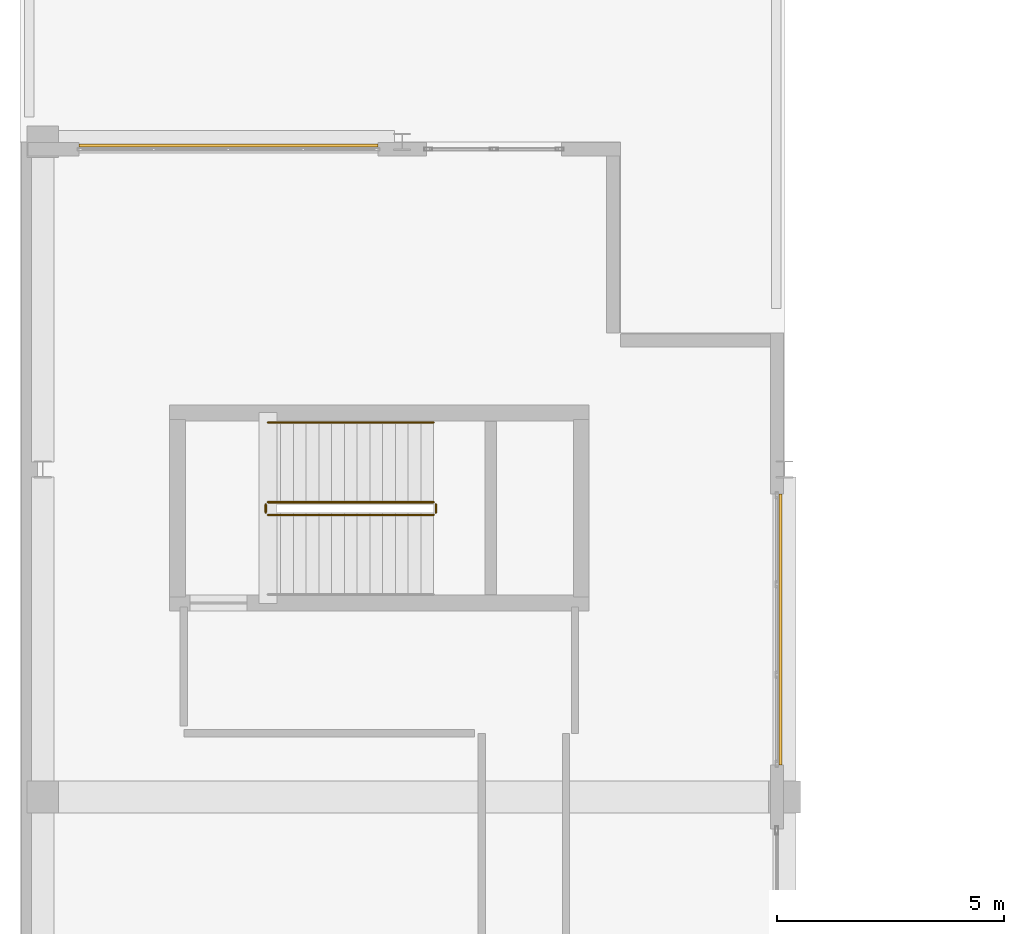
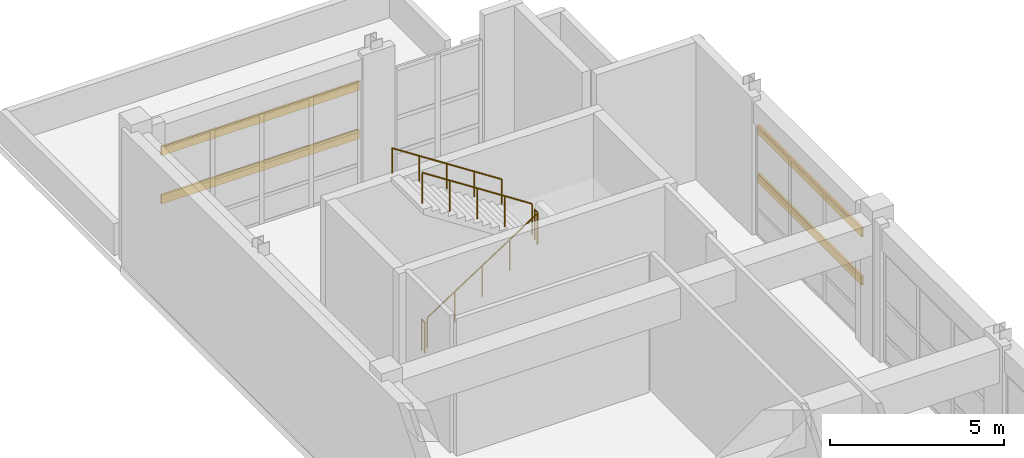
# One storey, part 71 of 78: 5 railings, 4 shading devices.
"""IFC4 building model written with IfcOpenShell, lengths in metres."""

import ifcopenshell
import ifcopenshell.guid

model = None  # the IFC model being written
_history = None  # IfcOwnerHistory: only IFC2X3 demands one
_inside = {}  # id of a spatial element -> (the spatial element, [elements in it])
_under = {}  # id of a project, library or spatial element -> (it, [spatial elements below it])
_declared = {}  # id of a project -> (the project, [libraries it declares])
_typed = {}  # id of a type object -> (the type object, [elements of that type])
_made_of = {}  # id of a material, layer set ... -> (it, [elements and type objects made of it])


def new_model(schema):
    """Start an empty IFC model of exactly this schema.

    Asked for "IFC4X3", IfcOpenShell would pick the latest addendum, in which some entities
    have other attributes; the version numbers below select the first issue.
    IFC2X3 requires an IfcOwnerHistory on every rooted entity: one is made here for all.
    """
    global model, _history
    if schema == "IFC4X3":
        model = ifcopenshell.file(schema_version=(4, 3, 0, 0))
    else:
        model = ifcopenshell.file(schema=schema)
    _inside.clear()
    _under.clear()
    _declared.clear()
    _typed.clear()
    _made_of.clear()
    _history = None
    if model.schema == "IFC2X3":
        org = make("IfcOrganization", Name="unknown")
        user = make(
            "IfcPersonAndOrganization",
            ThePerson=make("IfcPerson", FamilyName="unknown"),
            TheOrganization=org,
        )
        app = make(
            "IfcApplication",
            ApplicationDeveloper=org,
            Version="unknown",
            ApplicationFullName="unknown",
            ApplicationIdentifier="unknown",
        )
        _history = make(
            "IfcOwnerHistory",
            OwningUser=user,
            OwningApplication=app,
            ChangeAction="ADDED",
            CreationDate=0,
        )
    return model


def make(cls, **values):
    """One entity of the class cls with the attributes given. An attribute that is None is left unset."""
    return model.create_entity(
        cls, **{name: value for name, value in values.items() if value is not None}
    )


def rooted(cls, **values):
    """An entity with a GlobalId (a new one), such as an element, a storey or a relation."""
    return make(cls, GlobalId=ifcopenshell.guid.new(), OwnerHistory=_history, **values)


def si_unit(unit_type, name, prefix=None):
    """IfcSIUnit, for example si_unit("LENGTHUNIT", "METRE", prefix="MILLI")."""
    return make("IfcSIUnit", UnitType=unit_type, Prefix=prefix, Name=name)


def assignment(units):
    """IfcUnitAssignment: the units of a project."""
    return None if units is None else make("IfcUnitAssignment", Units=units)


def point(xyz):
    """IfcCartesianPoint."""
    return None if xyz is None else make("IfcCartesianPoint", Coordinates=xyz)


def direction(xyz):
    """IfcDirection."""
    return None if xyz is None else make("IfcDirection", DirectionRatios=xyz)


def frame(location, z_axis=None, x_axis=None):
    """IfcAxis2Placement3D, a coordinate frame: its origin and axes. An axis left out is left unset."""
    return make(
        "IfcAxis2Placement3D",
        Location=point(location),
        Axis=direction(z_axis),
        RefDirection=direction(x_axis),
    )


def frame_2d(location, x_axis=None):
    """IfcAxis2Placement2D, a coordinate frame in the plane: its origin and x axis."""
    return make(
        "IfcAxis2Placement2D", Location=point(location), RefDirection=direction(x_axis)
    )


def origin():
    """The frame at (0, 0, 0) with its axes left unset."""
    return frame((0.0, 0.0, 0.0))


def origin_2d():
    """The frame at (0, 0) in the plane with its x axis left unset."""
    return frame_2d((0.0, 0.0))


def place(relative_to, where):
    """IfcLocalPlacement: puts the frame where relative to a parent placement (None: the world)."""
    return make(
        "IfcLocalPlacement", PlacementRelTo=relative_to, RelativePlacement=where
    )


def context(
    kind, dimensions, precision=None, world=None, true_north=None, identifier=None
):
    """IfcGeometricRepresentationContext, for example the 3D "Model" context."""
    return make(
        "IfcGeometricRepresentationContext",
        ContextIdentifier=identifier,
        ContextType=kind,
        CoordinateSpaceDimension=dimensions,
        Precision=precision,
        WorldCoordinateSystem=world,
        TrueNorth=true_north,
    )


def subcontext(parent, identifier, kind, view, scale=None):
    """IfcGeometricRepresentationSubContext, for example "Body" below "Model"."""
    return make(
        "IfcGeometricRepresentationSubContext",
        ContextIdentifier=identifier,
        ContextType=kind,
        ParentContext=parent,
        TargetScale=scale,
        TargetView=view,
    )


def project(units=None, contexts=None):
    """IfcProject with its units and contexts."""
    return rooted(
        "IfcProject",
        Name="project",
        RepresentationContexts=contexts,
        UnitsInContext=assignment(units),
    )


def spatial(cls, under=None, at=None, **own):
    """A site, building, storey or space (cls), placed at a placement, below another one or the project."""
    s = rooted(cls, ObjectPlacement=at, **own)
    if under is not None:
        _under.setdefault(under.id(), (under, []))[1].append(s)
    return s


def profile(cls, at=None, kind="AREA", **sizes):
    """A parametric profile (cls). Its sizes go by their IFC names, for example OverallWidth=200.0."""
    return make(cls, ProfileType=kind, Position=at, **sizes)


def hollow_rectangle(**sizes):
    """IfcRectangleHollowProfileDef."""
    return profile("IfcRectangleHollowProfileDef", **sizes)


def circle(**sizes):
    """IfcCircleProfileDef."""
    return profile("IfcCircleProfileDef", **sizes)


def extrude(swept, where, along, depth):
    """IfcExtrudedAreaSolid: the profile swept, set in the frame where, extruded along a direction by depth."""
    return make(
        "IfcExtrudedAreaSolid",
        SweptArea=swept,
        Position=where,
        ExtrudedDirection=direction(along),
        Depth=depth,
    )


def shape(context_of_items, identifier, shape_type, items):
    """IfcShapeRepresentation: the items that make up one representation, for example the "Body"."""
    return make(
        "IfcShapeRepresentation",
        ContextOfItems=context_of_items,
        RepresentationIdentifier=identifier,
        RepresentationType=shape_type,
        Items=items,
    )


def material(Name=None, Category=None):
    """IfcMaterial."""
    return make("IfcMaterial", Name=Name, Category=Category)


def material_profile(
    of_material, cross_section, Name=None, Category=None, Priority=None
):
    """IfcMaterialProfile: a cross section and its material."""
    return make(
        "IfcMaterialProfile",
        Name=Name,
        Material=of_material,
        Profile=cross_section,
        Priority=Priority,
        Category=Category,
    )


def profile_set(profiles, Name=None, composite=None):
    """IfcMaterialProfileSet."""
    return make(
        "IfcMaterialProfileSet",
        Name=Name,
        MaterialProfiles=profiles,
        CompositeProfile=composite,
    )


def made_of(thing, what):
    """Note that an element or type object is made of a material, layer set ...; save() writes the relation."""
    if what is not None:
        _made_of.setdefault(what.id(), (what, []))[1].append(thing)
    return thing


def type_object(cls, material=None, **own):
    """A type object (cls), such as IfcWallType, which elements share."""
    return made_of(rooted(cls, **own), material)


def element(
    cls,
    number,
    at=None,
    inside=None,
    cuts=None,
    type_object=None,
    material=None,
    context=None,
    identifier="Body",
    shape_type=None,
    held_by="IfcProductDefinitionShape",
    body=None,
    shapes=None,
    **own,
):
    """One element of the class cls, such as IfcWall. Its Tag is "e" and its number.

    at: its placement. inside: the storey or other place that contains it. cuts: it is an
    opening in that element (IfcRelVoidsElement). A single representation is given by context,
    identifier, shape_type and body (its items); several are given by shapes. held_by: the class
    of the entity that holds the representations. save() writes the other relations.
    """
    e = rooted(cls, Tag="e%d" % number, ObjectPlacement=at, **own)
    if body is not None:
        shapes = [shape(context, identifier, shape_type, body)]
    if shapes is not None:
        e.Representation = make(held_by, Representations=shapes)
    if inside is not None:
        _inside.setdefault(inside.id(), (inside, []))[1].append(e)
    if cuts is not None:
        rooted(
            "IfcRelVoidsElement", RelatingBuildingElement=cuts, RelatedOpeningElement=e
        )
    if type_object is not None:
        _typed.setdefault(type_object.id(), (type_object, []))[1].append(e)
    return made_of(e, material)


def aggregate(whole, parts):
    """IfcRelAggregates: a whole, such as a stair, and the parts it consists of."""
    return rooted("IfcRelAggregates", RelatingObject=whole, RelatedObjects=parts)


def save(model, path):
    """Write the relations noted so far, then the file.

    IfcRelAggregates (storeys below a building ...), IfcRelContainedInSpatialStructure (elements
    in a storey), IfcRelDefinesByType, IfcRelAssociatesMaterial and IfcRelDeclares: one each for
    every whole, place, type object, material and project.
    """
    for whole, parts in _under.values():
        aggregate(whole, parts)
    for where, things in _inside.values():
        rooted(
            "IfcRelContainedInSpatialStructure",
            RelatedElements=things,
            RelatingStructure=where,
        )
    for kind, things in _typed.values():
        rooted("IfcRelDefinesByType", RelatedObjects=things, RelatingType=kind)
    for what, things in _made_of.values():
        rooted("IfcRelAssociatesMaterial", RelatedObjects=things, RelatingMaterial=what)
    for by, libraries in _declared.values():
        rooted("IfcRelDeclares", RelatingContext=by, RelatedDefinitions=libraries)
    model.write(path)


model = new_model("IFC4")

# Units and contexts
model_context = context("Model", 3, precision=1e-05, world=origin(), true_north=direction((0.0, 1.0)))
body_context = subcontext(model_context, "Body", "Model", "MODEL_VIEW")
ifc_project = project(units=[si_unit("LENGTHUNIT", "METRE"), si_unit("AREAUNIT", "SQUARE_METRE"), si_unit("VOLUMEUNIT", "CUBIC_METRE"), si_unit("PLANEANGLEUNIT", "RADIAN"), si_unit("MASSUNIT", "GRAM", prefix="KILO")], contexts=[model_context])

# Site, building, storey
site_placement = place(None, origin())
site = spatial("IfcSite", under=ifc_project, at=site_placement, CompositionType="ELEMENT")
building_placement = place(site_placement, origin())
building = spatial("IfcBuilding", under=site, at=building_placement, Name="Quendrovan Civic Courthouse", CompositionType="ELEMENT")
storey_placement = place(building_placement, frame((0.0, 0.0, 10.199951171875)))
storey = spatial("IfcBuildingStorey", under=building, at=storey_placement, Name="L03", CompositionType="ELEMENT", Elevation=10.199951171875)

# Railings
ifc_material_1 = material(Name="Painted galvanized steel", Category="steel")
railing_type_1 = type_object("IfcRailingType", Name="RL-STR-GUARD1100", PredefinedType="GUARDRAIL", material=ifc_material_1)
railing_1_placement = place(storey_placement, frame((5.449951171875, 86.60009765625, 0.18212890625)))
element("IfcRailing", 1, at=railing_1_placement, inside=storey, type_object=railing_type_1, Name="L03 ST8 stair guard 1", PredefinedType="GUARDRAIL", context=body_context, shape_type="SweptSolid", body=[
    extrude(circle(Radius=0.02392578125, at=origin_2d()), frame((0.0, 0.0, 1.076171875), z_axis=(0.83825089185, 0.0, 0.545284735081), x_axis=(0.0, 1.0, 0.0)), (0.0, 0.0, 1.0), 4.342529296875),
    extrude(circle(Radius=0.02099609375, at=origin_2d()), origin(), (0.0, 0.0, 1.0), 1.052001953125),
    extrude(circle(Radius=0.02099609375, at=origin_2d()), frame((0.91015625, 0.0, 0.592041015625)), (0.0, 0.0, 1.0), 1.052001953125),
    extrude(circle(Radius=0.02099609375, at=origin_2d()), frame((1.820068359375, 0.0, 1.18408203125)), (0.0, 0.0, 1.0), 1.052001953125),
    extrude(circle(Radius=0.02099609375, at=origin_2d()), frame((2.72998046875, 0.0, 1.77587890625)), (0.0, 0.0, 1.0), 1.052001953125),
    extrude(circle(Radius=0.02099609375, at=origin_2d()), frame((3.64013671875, 0.0, 2.367919921875)), (0.0, 0.0, 1.0), 1.052001953125),
])
railing_2_placement = place(storey_placement, frame((9.139892578125, 86.64990234375, 2.550048828125)))
element("IfcRailing", 2, at=railing_2_placement, inside=storey, type_object=railing_type_1, Name="L03 ST8 stair guard 2", PredefinedType="GUARDRAIL", context=body_context, shape_type="SweptSolid", body=[
    extrude(circle(Radius=0.02392578125, at=origin_2d()), frame((0.0, 0.0, 1.076171875), z_axis=(0.0, 1.0, 0.0), x_axis=(-1.0, 0.0, 0.0)), (0.0, 0.0, 1.0), 0.18017578125),
    extrude(circle(Radius=0.02099609375, at=origin_2d()), origin(), (0.0, 0.0, 1.0), 1.052001953125),
    extrude(circle(Radius=0.02099609375, at=origin_2d()), frame((0.0, 0.18017578125, 0.0)), (0.0, 0.0, 1.0), 1.052001953125),
])
railing_3_placement = place(storey_placement, frame((9.090087890625, 86.8798828125, 2.732177734375)))
element("IfcRailing", 3, at=railing_3_placement, inside=storey, type_object=railing_type_1, Name="L03 ST8 stair guard 3", PredefinedType="GUARDRAIL", context=body_context, shape_type="SweptSolid", body=[
    extrude(circle(Radius=0.02392578125, at=origin_2d()), frame((0.0, 0.0, 1.076171875), z_axis=(-0.83825089185, 0.0, 0.545284735081), x_axis=(0.0, -1.0, 0.0)), (0.0, 0.0, 1.0), 4.342529296875),
    extrude(circle(Radius=0.02099609375, at=origin_2d()), origin(), (0.0, 0.0, 1.0), 1.052001953125),
    extrude(circle(Radius=0.02099609375, at=origin_2d()), frame((-0.91015625, 0.0, 0.592041015625)), (0.0, 0.0, 1.0), 1.052001953125),
    extrude(circle(Radius=0.02099609375, at=origin_2d()), frame((-1.820068359375, 0.0, 1.18408203125)), (0.0, 0.0, 1.0), 1.052001953125),
    extrude(circle(Radius=0.02099609375, at=origin_2d()), frame((-2.72998046875, 0.0, 1.77587890625)), (0.0, 0.0, 1.0), 1.052001953125),
    extrude(circle(Radius=0.02099609375, at=origin_2d()), frame((-3.64013671875, 0.0, 2.367919921875)), (0.0, 0.0, 1.0), 1.052001953125),
])
railing_4_placement = place(storey_placement, frame((5.39990234375, 86.64990234375, 0.0)))
element("IfcRailing", 4, at=railing_4_placement, inside=storey, type_object=railing_type_1, Name="L03 ST8 stair guard 4", PredefinedType="GUARDRAIL", context=body_context, shape_type="SweptSolid", body=[
    extrude(circle(Radius=0.02392578125, at=origin_2d()), frame((0.0, 0.0, 1.076171875), z_axis=(0.0, 1.0, 0.0), x_axis=(-1.0, 0.0, 0.0)), (0.0, 0.0, 1.0), 0.18017578125),
    extrude(circle(Radius=0.02099609375, at=origin_2d()), origin(), (0.0, 0.0, 1.0), 1.052001953125),
    extrude(circle(Radius=0.02099609375, at=origin_2d()), frame((0.0, 0.18017578125, 0.0)), (0.0, 0.0, 1.0), 1.052001953125),
])
ifc_material_2 = material(Name="Bronze anodised aluminium", Category="aluminium")
railing_type_2 = type_object("IfcRailingType", Name="RL-STR-HAND900", PredefinedType="HANDRAIL", material=ifc_material_2)
railing_5_placement = place(storey_placement, frame((9.090087890625, 88.6298828125, 2.732177734375)))
element("IfcRailing", 5, at=railing_5_placement, inside=storey, type_object=railing_type_2, Name="L03 ST8 stair handrail 2", PredefinedType="HANDRAIL", context=body_context, shape_type="SweptSolid", body=[
    extrude(circle(Radius=0.02392578125, at=origin_2d()), frame((0.0, 0.0, 0.8759765625), z_axis=(-0.83825089185, 0.0, 0.545284735081), x_axis=(0.0, -1.0, 0.0)), (0.0, 0.0, 1.0), 4.342529296875),
    extrude(circle(Radius=0.02099609375, at=origin_2d()), origin(), (0.0, 0.0, 1.0), 0.851806640625),
    extrude(circle(Radius=0.02099609375, at=origin_2d()), frame((-0.91015625, 0.0, 0.592041015625)), (0.0, 0.0, 1.0), 0.851806640625),
    extrude(circle(Radius=0.02099609375, at=origin_2d()), frame((-1.820068359375, 0.0, 1.18408203125)), (0.0, 0.0, 1.0), 0.851806640625),
    extrude(circle(Radius=0.02099609375, at=origin_2d()), frame((-2.72998046875, 0.0, 1.77587890625)), (0.0, 0.0, 1.0), 0.851806640625),
    extrude(circle(Radius=0.02099609375, at=origin_2d()), frame((-3.64013671875, 0.0, 2.367919921875)), (0.0, 0.0, 1.0), 0.851806640625),
])

# Shading devices
ifc_material_profile = material_profile(ifc_material_2, hollow_rectangle(XDim=0.06494140625, YDim=0.320068359375, WallThickness=0.0048828125, at=origin_2d()), Name="AL-LOUVRE-65x320")
ifc_profile_set = profile_set([ifc_material_profile], Name="Bronze anodised aluminium")
shading_device_type = type_object("IfcShadingDeviceType", Name="SHD-STORM-LOUVRE", PredefinedType="JALOUSIE", material=ifc_profile_set)
for number, where, z_axis, x_axis, name in (
    (6, (1.300048828125, 94.715087890625, 1.949951171875), (1.0, 0.0, 0.0), (0.0, 1.0, 0.0), "L03 Bronze Hurricane Storm Louvre SLV-117"),
    (7, (1.300048828125, 94.715087890625, 3.650146484375), (1.0, 0.0, 0.0), (0.0, 1.0, 0.0), "L03 Bronze Hurricane Storm Louvre SLV-118"),
):
    element("IfcShadingDevice", number, at=place(storey_placement, frame(where, z_axis=z_axis, x_axis=x_axis)), inside=storey, type_object=shading_device_type, Name=name, PredefinedType="JALOUSIE", context=body_context, shape_type="SweptSolid", body=[
        extrude(hollow_rectangle(XDim=0.06494140625, YDim=0.320068359375, WallThickness=0.0048828125, at=origin_2d()), origin(), (0.0, 0.0, 1.0), 6.56298828125),
    ])
for number, where, z_axis, x_axis, name in (
    (8, (16.715087890625, 87.06298828125, 1.949951171875), (0.0, -1.0, 0.0), (1.0, 0.0, 0.0), "L03 Bronze Hurricane Storm Louvre SLV-119"),
    (9, (16.715087890625, 87.06298828125, 3.650146484375), (0.0, -1.0, 0.0), (1.0, 0.0, 0.0), "L03 Bronze Hurricane Storm Louvre SLV-120"),
):
    element("IfcShadingDevice", number, at=place(storey_placement, frame(where, z_axis=z_axis, x_axis=x_axis)), inside=storey, type_object=shading_device_type, Name=name, PredefinedType="JALOUSIE", context=body_context, shape_type="SweptSolid", body=[
        extrude(hollow_rectangle(XDim=0.06494140625, YDim=0.320068359375, WallThickness=0.0048828125, at=origin_2d()), origin(), (0.0, 0.0, 1.0), 5.962890625),
    ])

save(model, "model.ifc")
